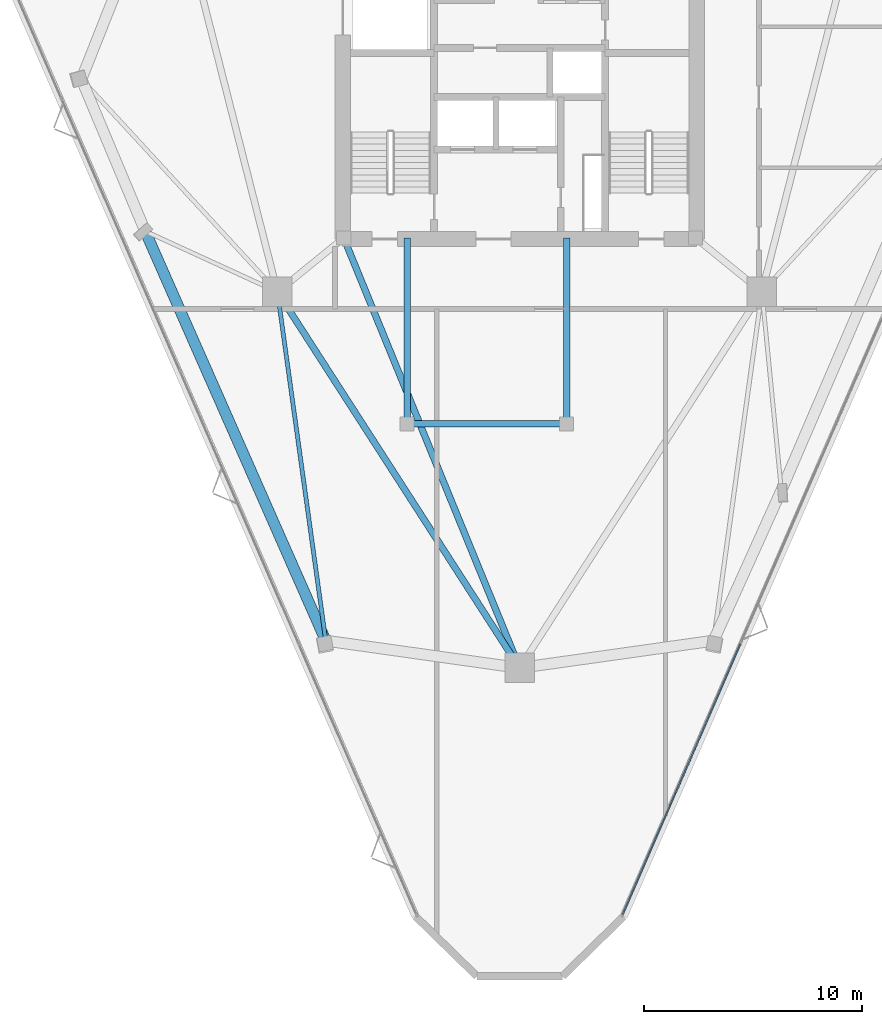
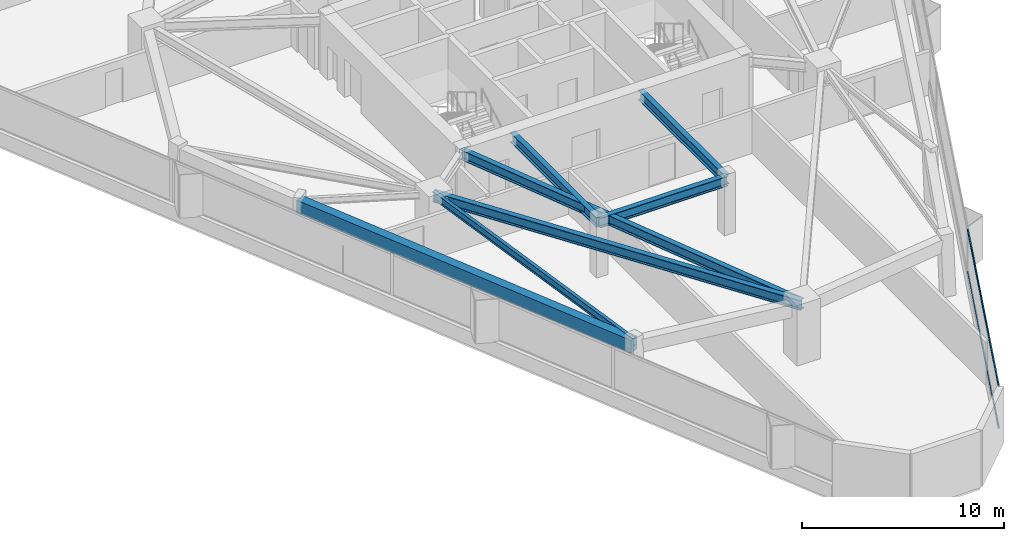
# One storey, part 3 of 12: 7 beams, 2 members, 1 element without a shape of its own.
"""IFC4 building model written with IfcOpenShell, lengths in metres."""

from ifc_helpers import new_model, si_unit, direction, frame, origin, origin_2d, place, context, subcontext, project, spatial, rectangle, i_section, extrude, material, layer, layer_set, material_profile, profile_set, type_object, element, aggregate, save


model = new_model("IFC4")

# Units and contexts
model_context = context("Model", 3, precision=1e-05, world=origin(), true_north=direction((0.0, 1.0)))
body_context = subcontext(model_context, "Body", "Model", "MODEL_VIEW")
ifc_project = project(units=[si_unit("LENGTHUNIT", "METRE"), si_unit("AREAUNIT", "SQUARE_METRE"), si_unit("VOLUMEUNIT", "CUBIC_METRE"), si_unit("PLANEANGLEUNIT", "RADIAN"), si_unit("MASSUNIT", "GRAM", prefix="KILO")], contexts=[model_context])

# Site, building, storey
site_placement = place(None, origin())
site = spatial("IfcSite", under=ifc_project, at=site_placement, CompositionType="ELEMENT")
building_placement = place(site_placement, origin())
building = spatial("IfcBuilding", under=site, at=building_placement, Name="Talyreon Biosciences Tower", CompositionType="ELEMENT")
storey_placement = place(building_placement, frame((0.0, 0.0, 183.050048828125)))
storey = spatial("IfcBuildingStorey", under=building, at=storey_placement, Name="L48", CompositionType="ELEMENT", Elevation=183.050048828125)

# Curtain wall, members
ifc_material_1 = material(Name="Thermally broken aluminium and low-E glazing", Category="aluminium")
ifc_layer = layer(ifc_material_1, 0.179931640625)
ifc_layer_set = layer_set([ifc_layer], Name="Thermally broken aluminium and low-E glazing")
curtain_wall_type = type_object("IfcCurtainWallType", Name="CurtainWall_Zone4Optical", PredefinedType="NOTDEFINED", material=ifc_layer_set)
curtain_wall_placement = place(storey_placement, origin())
curtain_wall = element("IfcCurtainWall", 1, at=curtain_wall_placement, inside=storey, type_object=curtain_wall_type, Name="L48 Unitised Curtain Wall FCW-L48-08", PredefinedType="NOTDEFINED")
ifc_material_2 = material(Name="Anodised thermally broken aluminium", Category="aluminium")
ifc_material_profile_1 = material_profile(ifc_material_2, rectangle(XDim=0.06494140625, YDim=0.139892578125, at=origin_2d()), Name="ALUM TRANSOM 65x140")
ifc_profile_set_1 = profile_set([ifc_material_profile_1], Name="Anodised thermally broken aluminium")
member_type = type_object("IfcMemberType", Name="CWTransom_65x140", PredefinedType="USERDEFINED", material=ifc_profile_set_1)
member_1_placement = place(storey_placement, frame((76.10546875, 42.76025390625, 0.842529296875), z_axis=(-0.399077385587, -0.916917248345, 0.0), x_axis=(0.916917248345, -0.399077385587, 0.0)))
member_1 = element("IfcMember", 2, at=member_1_placement, type_object=member_type, Name="CW5 transom 4.1", ObjectType="TRANSOM", PredefinedType="USERDEFINED", context=body_context, shape_type="SweptSolid", body=[
    extrude(rectangle(XDim=0.06494140625, YDim=0.139892578125, at=origin_2d()), origin(), (0.0, 0.0, 1.0), 13.49365234375),
])
member_2_placement = place(storey_placement, frame((76.10546875, 42.76025390625, 3.367431640625), z_axis=(-0.399077385587, -0.916917248345, 0.0), x_axis=(0.916917248345, -0.399077385587, 0.0)))
member_2 = element("IfcMember", 3, at=member_2_placement, type_object=member_type, Name="CW5 transom 4.2", ObjectType="TRANSOM", PredefinedType="USERDEFINED", context=body_context, shape_type="SweptSolid", body=[
    extrude(rectangle(XDim=0.06494140625, YDim=0.139892578125, at=origin_2d()), origin(), (0.0, 0.0, 1.0), 13.49365234375),
])
aggregate(curtain_wall, [member_1, member_2])

# Beams
ifc_material_3 = material(Name="Precast concrete C45/55", Category="concrete")
ifc_material_profile_2 = material_profile(ifc_material_3, rectangle(XDim=0.5, YDim=0.780029296875, at=origin_2d()), Name="RCB 500x780")
ifc_profile_set_2 = profile_set([ifc_material_profile_2], Name="Precast concrete C45/55")
beam_type_1 = type_object("IfcBeamType", Name="ExpressedSpandrel_500x780", PredefinedType="SPANDREL", material=ifc_profile_set_2)
beam_1_placement = place(storey_placement, frame((48.85986328125, 61.6591796875, 3.010009765625), z_axis=(0.403487021302, -0.914985367993, 0.0), x_axis=(0.914985367993, 0.403487021302, 0.0)))
element("IfcBeam", 4, at=beam_1_placement, inside=storey, type_object=beam_type_1, Name="L48 Expressed Horizontal Concrete Spandrel 11", PredefinedType="SPANDREL", context=body_context, shape_type="SweptSolid", body=[
    extrude(rectangle(XDim=0.5, YDim=0.780029296875, at=origin_2d()), origin(), (0.0, 0.0, 1.0), 20.483154296875),
])
ifc_material_4 = material(Name="Steel SM355", Category="steel")
ifc_material_profile_3 = material_profile(ifc_material_4, i_section(OverallWidth=0.300048828125, OverallDepth=0.60009765625, WebThickness=0.015380859375, FlangeThickness=0.030029296875, FilletRadius=0.027099609375, at=origin_2d()), Name="HE600B")
ifc_profile_set_3 = profile_set([ifc_material_profile_3], Name="Steel SM355")
beam_type_2 = type_object("IfcBeamType", Name="SteelBeam_HE600B", PredefinedType="BEAM", material=ifc_profile_set_3)
beam_2_placement = place(storey_placement, frame((54.913818359375, 58.88037109375, 3.099853515625), z_axis=(0.541463723609, -0.840724114092, 0.0), x_axis=(0.840724114092, 0.541463723609, 0.0)))
element("IfcBeam", 5, at=beam_2_placement, inside=storey, type_object=beam_type_2, Name="L48 Mega-Ring Girder 6", PredefinedType="BEAM", context=body_context, shape_type="SweptSolid", body=[
    extrude(i_section(OverallWidth=0.300048828125, OverallDepth=0.60009765625, WebThickness=0.015380859375, FlangeThickness=0.030029296875, FilletRadius=0.027099609375, at=origin_2d()), origin(), (0.0, 0.0, 1.0), 20.474365234375),
])
beam_3_placement = place(storey_placement, frame((57.949951171875, 61.35009765625, 3.099853515625), z_axis=(0.378547014545, -0.925582064314, 0.0), x_axis=(0.925582064314, 0.378547014545, 0.0)))
element("IfcBeam", 6, at=beam_3_placement, inside=storey, type_object=beam_type_2, Name="L48 Radial Primary Girder 1", PredefinedType="BEAM", context=body_context, shape_type="SweptSolid", body=[
    extrude(i_section(OverallWidth=0.300048828125, OverallDepth=0.60009765625, WebThickness=0.015380859375, FlangeThickness=0.030029296875, FilletRadius=0.027099609375, at=origin_2d()), origin(), (0.0, 0.0, 1.0), 21.265625),
])
beam_4_placement = place(storey_placement, frame((60.85009765625, 52.840087890625, 3.099853515625), z_axis=(1.0, 0.0, 0.0), x_axis=(0.0, 1.0, 0.0)))
element("IfcBeam", 7, at=beam_4_placement, inside=storey, type_object=beam_type_2, Name="L48 Crown Shaft Spine Girder S", PredefinedType="BEAM", context=body_context, shape_type="SweptSolid", body=[
    extrude(i_section(OverallWidth=0.300048828125, OverallDepth=0.60009765625, WebThickness=0.015380859375, FlangeThickness=0.030029296875, FilletRadius=0.027099609375, at=origin_2d()), origin(), (0.0, 0.0, 1.0), 7.2998046875),
])
for number, where, z_axis, x_axis, name in (
    (8, (60.85009765625, 52.840087890625, 3.099853515625), (0.0, 1.0, 0.0), (-1.0, 0.0, 0.0), "L48 Crown Shaft Tie Girder W"),
    (9, (68.14990234375, 52.840087890625, 3.099853515625), (0.0, 1.0, 0.0), (-1.0, 0.0, 0.0), "L48 Crown Shaft Tie Girder E"),
):
    element("IfcBeam", number, at=place(storey_placement, frame(where, z_axis=z_axis, x_axis=x_axis)), inside=storey, type_object=beam_type_2, Name=name, PredefinedType="BEAM", context=body_context, shape_type="SweptSolid", body=[
        extrude(i_section(OverallWidth=0.300048828125, OverallDepth=0.60009765625, WebThickness=0.015380859375, FlangeThickness=0.030029296875, FilletRadius=0.027099609375, at=origin_2d()), origin(), (0.0, 0.0, 1.0), 8.510009765625),
    ])
ifc_material_profile_4 = material_profile(ifc_material_4, i_section(OverallWidth=0.18994140625, OverallDepth=0.449951171875, WebThickness=0.009521484375, FlangeThickness=0.0146484375, FilletRadius=0.02099609375, at=origin_2d()), Name="IPE450")
ifc_profile_set_4 = profile_set([ifc_material_profile_4], Name="Steel SM355")
beam_type_3 = type_object("IfcBeamType", Name="SteelJoist_IPE450", PredefinedType="JOIST", material=ifc_profile_set_4)
beam_5_placement = place(storey_placement, frame((54.913818359375, 58.88037109375, 3.175048828125), z_axis=(0.137180272243, -0.990546098325, 0.0), x_axis=(0.990546098325, 0.137180272243, 0.0)))
element("IfcBeam", 10, at=beam_5_placement, inside=storey, type_object=beam_type_3, Name="L48 Radial Composite Floor Joist PC-SW2", PredefinedType="JOIST", context=body_context, shape_type="SweptSolid", body=[
    extrude(i_section(OverallWidth=0.18994140625, OverallDepth=0.449951171875, WebThickness=0.009521484375, FlangeThickness=0.0146484375, FilletRadius=0.02099609375, at=origin_2d()), origin(), (0.0, 0.0, 1.0), 16.115234375),
])

save(model, "model.ifc")
